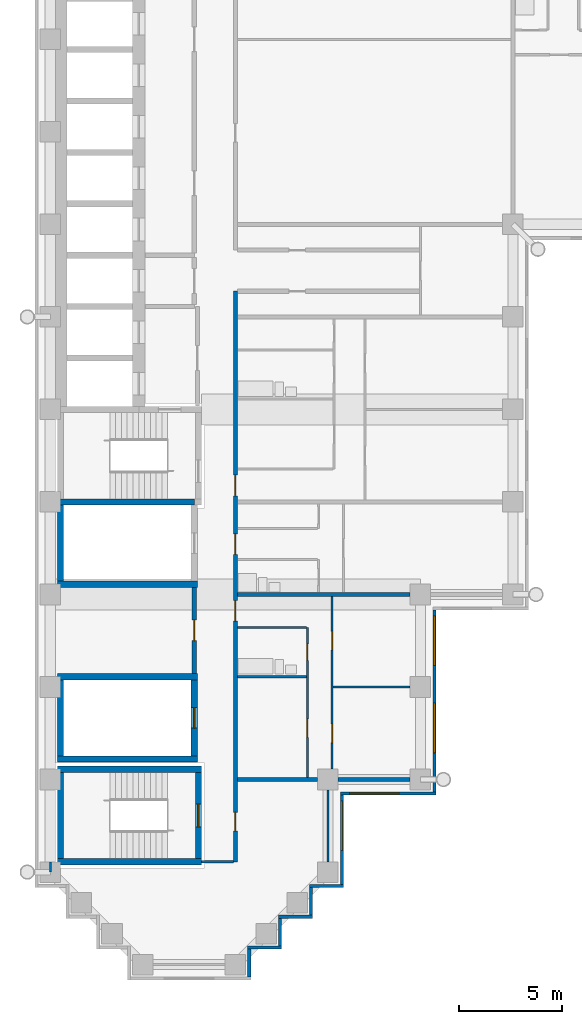
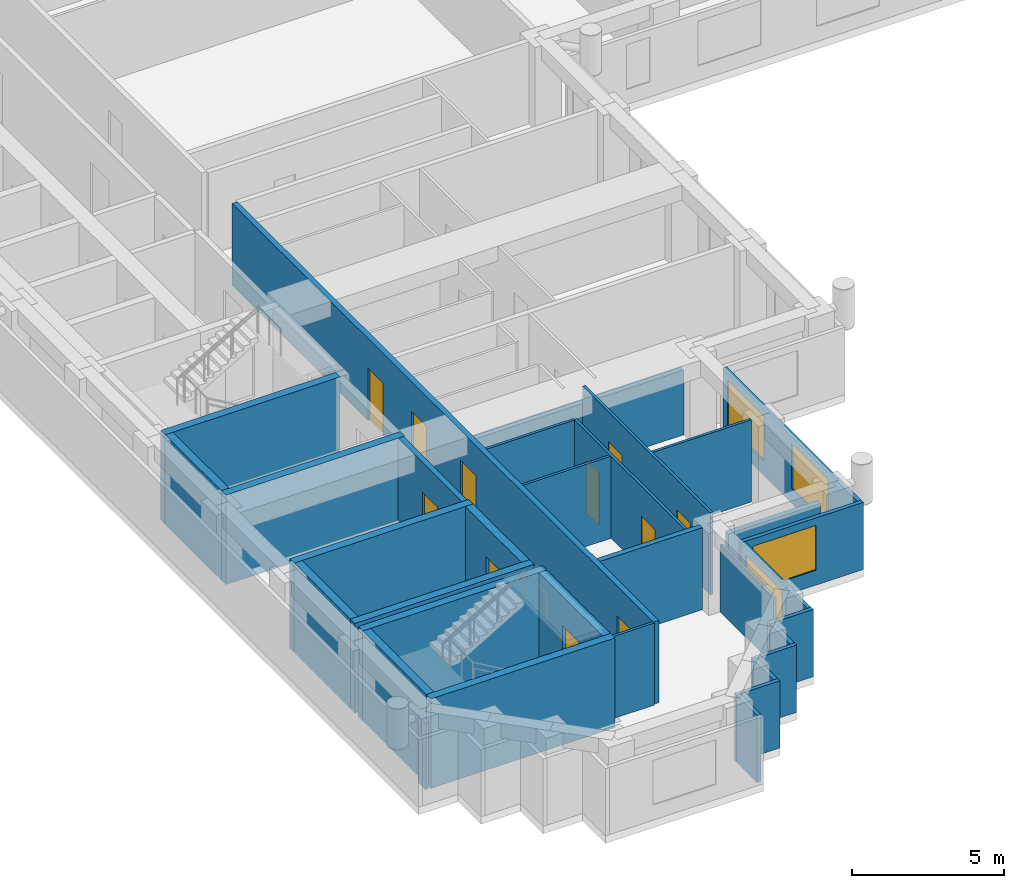
# One storey, part 5 of 15: 33 walls, 11 doors, 4 windows, 15 openings.
"""IFC4 building model written with IfcOpenShell, lengths in metres."""

from ifc_helpers import new_model, si_unit, direction, frame, frame_2d, origin, place, context, subcontext, project, spatial, rectangle, extrude, material, layer, layer_set, type_object, element, fill, save


model = new_model("IFC4")

# Units and contexts
model_context = context("Model", 3, precision=1e-05, world=origin(), true_north=direction((0.0, 1.0)))
body_context = subcontext(model_context, "Body", "Model", "MODEL_VIEW")
ifc_project = project(units=[si_unit("LENGTHUNIT", "METRE"), si_unit("AREAUNIT", "SQUARE_METRE"), si_unit("VOLUMEUNIT", "CUBIC_METRE"), si_unit("PLANEANGLEUNIT", "RADIAN"), si_unit("MASSUNIT", "GRAM", prefix="KILO")], contexts=[model_context])

# Site, building, storey
site_placement = place(None, origin())
site = spatial("IfcSite", under=ifc_project, at=site_placement, CompositionType="ELEMENT")
building_placement = place(site_placement, origin())
building = spatial("IfcBuilding", under=site, at=building_placement, Name="Firuza Court", CompositionType="ELEMENT")
storey_placement = place(building_placement, frame((0.0, 0.0, 137.60009765625)))
storey = spatial("IfcBuildingStorey", under=building, at=storey_placement, Name="L34", CompositionType="ELEMENT", Elevation=137.60009765625)

# Walls
ifc_material_1 = material(Name="Moisture-resistant gypsum board partition")
ifc_layer_1 = layer(ifc_material_1, 0.10009765625)
ifc_layer_set_1 = layer_set([ifc_layer_1], Name="Moisture-resistant gypsum board partition")
wall_type_1 = type_object("IfcWallType", Name="Bathroom partition 100", PredefinedType="PLUMBINGWALL", material=ifc_layer_set_1)
for number, where, z_axis, x_axis, name in (
    (1, (9.10009765625, 14.0, 0.0), (0.0, 0.0, 1.0), (1.0, 0.0, 0.0), "Bathroom partition 100 L34"),
    (2, (9.10009765625, 16.39990234375, 0.0), (0.0, 0.0, 1.0), (1.0, 0.0, 0.0), "Bathroom partition 100 L34"),
):
    element("IfcWall", number, at=place(storey_placement, frame(where, z_axis=z_axis, x_axis=x_axis)), inside=storey, type_object=wall_type_1, Name=name, PredefinedType="PLUMBINGWALL", context=body_context, shape_type="SweptSolid", body=[
        extrude(rectangle(XDim=3.349853515625, YDim=0.10009765625, at=frame_2d((1.6748046875, 0.0))), origin(), (0.0, 0.0, 1.0), 3.2998046875),
    ])
ifc_material_2 = material(Name="Concrete C60/75", Category="concrete")
ifc_layer_2 = layer(ifc_material_2, 0.300048828125)
ifc_layer_set_2 = layer_set([ifc_layer_2], Name="Concrete C60/75")
wall_type_2 = type_object("IfcWallType", Name="Core wall 300 C60/75", PredefinedType="SHEAR", material=ifc_layer_set_2)
for number, where, z_axis, x_axis, name in (
    (3, (0.35009765625, 5.0, -0.300048828125), (0.0, 0.0, 1.0), (1.0, 0.0, 0.0), "Core wall stair L34"),
    (4, (0.35009765625, 9.5, -0.300048828125), (0.0, 0.0, 1.0), (1.0, 0.0, 0.0), "Core wall stair L34"),
):
    element("IfcWall", number, at=place(storey_placement, frame(where, z_axis=z_axis, x_axis=x_axis)), inside=storey, type_object=wall_type_2, Name=name, PredefinedType="SHEAR", context=body_context, shape_type="SweptSolid", body=[
        extrude(rectangle(XDim=7.0, YDim=0.300048828125, at=frame_2d((3.5, 0.0))), origin(), (0.0, 0.0, 1.0), 3.599853515625),
    ])
for number, where, z_axis, x_axis, name in (
    (5, (0.35009765625, 10.0, -0.300048828125), (0.0, 0.0, 1.0), (1.0, 0.0, 0.0), "Core wall riser L34"),
    (6, (0.35009765625, 14.0, -0.300048828125), (0.0, 0.0, 1.0), (1.0, 0.0, 0.0), "Core wall riser L34"),
    (7, (0.35009765625, 18.5, -0.300048828125), (0.0, 0.0, 1.0), (1.0, 0.0, 0.0), "Core wall riser L34"),
):
    element("IfcWall", number, at=place(storey_placement, frame(where, z_axis=z_axis, x_axis=x_axis)), inside=storey, type_object=wall_type_2, Name=name, PredefinedType="SHEAR", context=body_context, shape_type="SweptSolid", body=[
        extrude(rectangle(XDim=6.7998046875, YDim=0.300048828125, at=frame_2d((3.39990234375, 0.0))), origin(), (0.0, 0.0, 1.0), 3.599853515625),
    ])
wall_1_placement = place(storey_placement, frame((0.35009765625, 22.5, -0.300048828125), z_axis=(0.0, 0.0, 1.0), x_axis=(1.0, 0.0, 0.0)))
element("IfcWall", 8, at=wall_1_placement, inside=storey, type_object=wall_type_2, Name="Core wall riser L34", PredefinedType="SHEAR", context=body_context, shape_type="SweptSolid", body=[
    extrude(rectangle(XDim=6.64990234375, YDim=0.300048828125, at=frame_2d((3.324951171875, 0.0))), origin(), (0.0, 0.0, 1.0), 3.599853515625),
])
wall_2_placement = place(storey_placement, frame((0.5, 5.14990234375, -0.300048828125), z_axis=(0.0, 0.0, 1.0), x_axis=(0.0, 1.0, 0.0)))
element("IfcWall", 9, at=wall_2_placement, inside=storey, type_object=wall_type_2, Name="Core wall stair L34", PredefinedType="SHEAR", context=body_context, shape_type="SweptSolid", body=[
    extrude(rectangle(XDim=4.2001953125, YDim=0.300048828125, at=frame_2d((2.10009765625, 0.0))), origin(), (0.0, 0.0, 1.0), 3.599853515625),
])
for number, where, z_axis, x_axis, name in (
    (10, (0.5, 10.14990234375, -0.300048828125), (0.0, 0.0, 1.0), (0.0, 1.0, 0.0), "Core wall riser L34"),
    (11, (0.5, 18.64990234375, -0.300048828125), (0.0, 0.0, 1.0), (0.0, 1.0, 0.0), "Core wall riser L34"),
):
    element("IfcWall", number, at=place(storey_placement, frame(where, z_axis=z_axis, x_axis=x_axis)), inside=storey, type_object=wall_type_2, Name=name, PredefinedType="SHEAR", context=body_context, shape_type="SweptSolid", body=[
        extrude(rectangle(XDim=3.7001953125, YDim=0.300048828125, at=frame_2d((1.85009765625, 0.0))), origin(), (0.0, 0.0, 1.0), 3.599853515625),
    ])

# Wall, opening, door
wall_3_placement = place(storey_placement, frame((7.0, 10.14990234375, -0.300048828125), z_axis=(0.0, 0.0, 1.0), x_axis=(0.0, 1.0, 0.0)))
wall_3 = element("IfcWall", 12, at=wall_3_placement, inside=storey, type_object=wall_type_2, Name="Core wall riser L34", PredefinedType="SHEAR", context=body_context, shape_type="SweptSolid", body=[
    extrude(rectangle(XDim=3.7001953125, YDim=0.300048828125, at=frame_2d((1.85009765625, 0.0))), origin(), (0.0, 0.0, 1.0), 3.599853515625),
])
opening_1_placement = place(wall_3_placement, frame((1.35009765625, 0.0, 0.300048828125)))
opening_1 = element("IfcOpeningElement", 13, at=opening_1_placement, cuts=wall_3, Name="Opening D34011", PredefinedType="OPENING", context=body_context, shape_type="SweptSolid", body=[
    extrude(rectangle(XDim=1.0, YDim=2.10009765625, at=frame_2d((0.5, 1.050048828125))), frame((0.0, 0.162109375, 0.0), z_axis=(0.0, -1.0, 0.0), x_axis=(1.0, 0.0, 0.0)), (0.0, 0.0, 1.0), 0.323974609375),
])
ifc_material_3 = material(Name="Timber door leaf in hardwood frame", Category="wood")
door_type_1 = type_object("IfcDoorType", Name="Riser door 1000", OperationType="SINGLE_SWING_LEFT", PredefinedType="DOOR", material=ifc_material_3)
door_1_placement = place(opening_1_placement, origin())
door_1 = element("IfcDoor", 14, at=door_1_placement, inside=storey, type_object=door_type_1, Name="Riser door R4", OperationType="SINGLE_SWING_LEFT", OverallHeight=2.10009765625, OverallWidth=1.0, PredefinedType="DOOR", context=body_context, shape_type="SweptSolid", body=[
    extrude(rectangle(XDim=1.0, YDim=2.10009765625, at=frame_2d((0.5, 1.050048828125))), frame((0.0, 0.02490234375, 0.0), z_axis=(0.0, -1.0, 0.0), x_axis=(1.0, 0.0, 0.0)), (0.0, 0.0, 1.0), 0.050048828125),
])
fill(opening_1, door_1)

wall_4_placement = place(storey_placement, frame((7.199951171875, 5.14990234375, -0.300048828125), z_axis=(0.0, 0.0, 1.0), x_axis=(0.0, 1.0, 0.0)))
wall_4 = element("IfcWall", 15, at=wall_4_placement, inside=storey, type_object=wall_type_2, Name="Core wall stair L34", PredefinedType="SHEAR", context=body_context, shape_type="SweptSolid", body=[
    extrude(rectangle(XDim=4.2001953125, YDim=0.300048828125, at=frame_2d((2.10009765625, 0.0))), origin(), (0.0, 0.0, 1.0), 3.599853515625),
])
opening_2_placement = place(wall_4_placement, frame((1.550048828125, 0.0, 0.300048828125)))
opening_2 = element("IfcOpeningElement", 16, at=opening_2_placement, cuts=wall_4, Name="Opening D34017", PredefinedType="OPENING", context=body_context, shape_type="SweptSolid", body=[
    extrude(rectangle(XDim=1.10009765625, YDim=2.10009765625, at=frame_2d((0.550048828125, 1.050048828125))), frame((0.0, 0.162109375, 0.0), z_axis=(0.0, -1.0, 0.0), x_axis=(1.0, 0.0, 0.0)), (0.0, 0.0, 1.0), 0.323974609375),
])
ifc_material_4 = material(Name="Timber door leaf in hardwood frame", Category="wood")
door_type_2 = type_object("IfcDoorType", Name="Stair door 1100", OperationType="SINGLE_SWING_LEFT", PredefinedType="DOOR", material=ifc_material_4)
door_2_placement = place(opening_2_placement, origin())
door_2 = element("IfcDoor", 17, at=door_2_placement, inside=storey, type_object=door_type_2, Name="Stair door S5", OperationType="SINGLE_SWING_LEFT", OverallHeight=2.10009765625, OverallWidth=1.10009765625, PredefinedType="DOOR", context=body_context, shape_type="SweptSolid", body=[
    extrude(rectangle(XDim=1.10009765625, YDim=2.10009765625, at=frame_2d((0.550048828125, 1.050048828125))), frame((0.0, 0.02490234375, 0.0), z_axis=(0.0, -1.0, 0.0), x_axis=(1.0, 0.0, 0.0)), (0.0, 0.0, 1.0), 0.050048828125),
])
fill(opening_2, door_2)

# Wall, openings, doors
ifc_material_5 = material(Name="Blockwork, plastered both sides", Category="masonry")
ifc_layer_3 = layer(ifc_material_5, 0.199951171875)
ifc_layer_set_3 = layer_set([ifc_layer_3], Name="Blockwork, plastered both sides")
wall_type_3 = type_object("IfcWallType", Name="Corridor wall 200", PredefinedType="PARTITIONING", material=ifc_layer_set_3)
wall_5_placement = place(storey_placement, frame((9.0, 5.0, 0.0), z_axis=(0.0, 0.0, 1.0), x_axis=(0.0, 1.0, 0.0)))
wall_5 = element("IfcWall", 18, at=wall_5_placement, inside=storey, type_object=wall_type_3, Name="Corridor wall 200 L34", PredefinedType="PARTITIONING", context=body_context, shape_type="SweptSolid", body=[
    extrude(rectangle(XDim=27.75, YDim=0.199951171875, at=frame_2d((13.875, 0.0))), origin(), (0.0, 0.0, 1.0), 3.2998046875),
])
opening_3_placement = place(wall_5_placement, frame((17.800048828125, 0.0, 0.0)))
opening_3 = element("IfcOpeningElement", 19, at=opening_3_placement, cuts=wall_5, Name="Opening D34018", PredefinedType="OPENING", context=body_context, shape_type="SweptSolid", body=[
    extrude(rectangle(XDim=1.0, YDim=2.10009765625, at=frame_2d((0.5, 1.050048828125))), frame((0.0, 0.11181640625, 0.0), z_axis=(0.0, -1.0, 0.0), x_axis=(1.0, 0.0, 0.0)), (0.0, 0.0, 1.0), 0.223876953125),
])
opening_4_placement = place(wall_5_placement, frame((14.949951171875, 0.0, 0.0)))
opening_4 = element("IfcOpeningElement", 20, at=opening_4_placement, cuts=wall_5, Name="Opening D34019", PredefinedType="OPENING", context=body_context, shape_type="SweptSolid", body=[
    extrude(rectangle(XDim=1.0, YDim=2.10009765625, at=frame_2d((0.5, 1.050048828125))), frame((0.0, 0.11181640625, 0.0), z_axis=(0.0, -1.0, 0.0), x_axis=(1.0, 0.0, 0.0)), (0.0, 0.0, 1.0), 0.223876953125),
])
opening_5_placement = place(wall_5_placement, frame((11.699951171875, 0.0, 0.0)))
opening_5 = element("IfcOpeningElement", 21, at=opening_5_placement, cuts=wall_5, Name="Opening D34020", PredefinedType="OPENING", context=body_context, shape_type="SweptSolid", body=[
    extrude(rectangle(XDim=1.0, YDim=2.10009765625, at=frame_2d((0.5, 1.050048828125))), frame((0.0, 0.11181640625, 0.0), z_axis=(0.0, -1.0, 0.0), x_axis=(1.0, 0.0, 0.0)), (0.0, 0.0, 1.0), 0.223876953125),
])
opening_6_placement = place(wall_5_placement, frame((1.5, 0.0, 0.0)))
opening_6 = element("IfcOpeningElement", 22, at=opening_6_placement, cuts=wall_5, Name="Opening D34021", PredefinedType="OPENING", context=body_context, shape_type="SweptSolid", body=[
    extrude(rectangle(XDim=0.89990234375, YDim=2.10009765625, at=frame_2d((0.449951171875, 1.050048828125))), frame((0.0, 0.11181640625, 0.0), z_axis=(0.0, -1.0, 0.0), x_axis=(1.0, 0.0, 0.0)), (0.0, 0.0, 1.0), 0.223876953125),
])
ifc_material_6 = material(Name="Timber door leaf in hardwood frame", Category="wood")
door_type_3 = type_object("IfcDoorType", Name="Flat entrance door 1000", OperationType="SINGLE_SWING_LEFT", PredefinedType="DOOR", material=ifc_material_6)
door_3_placement = place(opening_3_placement, origin())
door_3 = element("IfcDoor", 23, at=door_3_placement, inside=storey, type_object=door_type_3, Name="Flat entrance door", OperationType="SINGLE_SWING_LEFT", OverallHeight=2.10009765625, OverallWidth=1.0, PredefinedType="DOOR", context=body_context, shape_type="SweptSolid", body=[
    extrude(rectangle(XDim=1.0, YDim=2.10009765625, at=frame_2d((0.5, 1.050048828125))), frame((0.0, 0.02490234375, 0.0), z_axis=(0.0, -1.0, 0.0), x_axis=(1.0, 0.0, 0.0)), (0.0, 0.0, 1.0), 0.050048828125),
])
fill(opening_3, door_3)
door_4_placement = place(opening_4_placement, origin())
door_4 = element("IfcDoor", 24, at=door_4_placement, inside=storey, type_object=door_type_3, Name="Flat entrance door", OperationType="SINGLE_SWING_LEFT", OverallHeight=2.10009765625, OverallWidth=1.0, PredefinedType="DOOR", context=body_context, shape_type="SweptSolid", body=[
    extrude(rectangle(XDim=1.0, YDim=2.10009765625, at=frame_2d((0.5, 1.050048828125))), frame((0.0, 0.02490234375, 0.0), z_axis=(0.0, -1.0, 0.0), x_axis=(1.0, 0.0, 0.0)), (0.0, 0.0, 1.0), 0.050048828125),
])
fill(opening_4, door_4)
door_5_placement = place(opening_5_placement, origin())
door_5 = element("IfcDoor", 25, at=door_5_placement, inside=storey, type_object=door_type_3, Name="Flat entrance door", OperationType="SINGLE_SWING_LEFT", OverallHeight=2.10009765625, OverallWidth=1.0, PredefinedType="DOOR", context=body_context, shape_type="SweptSolid", body=[
    extrude(rectangle(XDim=1.0, YDim=2.10009765625, at=frame_2d((0.5, 1.050048828125))), frame((0.0, 0.02490234375, 0.0), z_axis=(0.0, -1.0, 0.0), x_axis=(1.0, 0.0, 0.0)), (0.0, 0.0, 1.0), 0.050048828125),
])
fill(opening_5, door_5)
ifc_material_7 = material(Name="Timber door leaf in hardwood frame", Category="wood")
door_type_4 = type_object("IfcDoorType", Name="Room door 900 EI 30", OperationType="SINGLE_SWING_LEFT", PredefinedType="DOOR", material=ifc_material_7)
door_6_placement = place(opening_6_placement, origin())
door_6 = element("IfcDoor", 26, at=door_6_placement, inside=storey, type_object=door_type_4, Name="Dining room door", OperationType="SINGLE_SWING_LEFT", OverallHeight=2.10009765625, OverallWidth=0.89990234375, PredefinedType="DOOR", context=body_context, shape_type="SweptSolid", body=[
    extrude(rectangle(XDim=0.89990234375, YDim=2.10009765625, at=frame_2d((0.449951171875, 1.050048828125))), frame((0.0, 0.02490234375, 0.0), z_axis=(0.0, -1.0, 0.0), x_axis=(1.0, 0.0, 0.0)), (0.0, 0.0, 1.0), 0.050048828125),
])
fill(opening_6, door_6)

# Wall, opening, door
wall_6_placement = place(storey_placement, frame((7.0, 14.14990234375, 0.0), z_axis=(0.0, 0.0, 1.0), x_axis=(0.0, 1.0, 0.0)))
wall_6 = element("IfcWall", 27, at=wall_6_placement, inside=storey, type_object=wall_type_3, Name="Corridor wall 200 L34", PredefinedType="PARTITIONING", context=body_context, shape_type="SweptSolid", body=[
    extrude(rectangle(XDim=4.2001953125, YDim=0.199951171875, at=frame_2d((2.10009765625, 0.0))), origin(), (0.0, 0.0, 1.0), 3.2998046875),
])
opening_7_placement = place(wall_6_placement, frame((1.60009765625, 0.0, 0.0)))
opening_7 = element("IfcOpeningElement", 28, at=opening_7_placement, cuts=wall_6, Name="Opening D34026", PredefinedType="OPENING", context=body_context, shape_type="SweptSolid", body=[
    extrude(rectangle(XDim=1.0, YDim=2.10009765625, at=frame_2d((0.5, 1.050048828125))), frame((0.0, 0.11181640625, 0.0), z_axis=(0.0, -1.0, 0.0), x_axis=(1.0, 0.0, 0.0)), (0.0, 0.0, 1.0), 0.223876953125),
])
ifc_material_8 = material(Name="Timber door leaf in hardwood frame", Category="wood")
door_type_5 = type_object("IfcDoorType", Name="Store door 1000", OperationType="SINGLE_SWING_LEFT", PredefinedType="DOOR", material=ifc_material_8)
door_7_placement = place(opening_7_placement, origin())
door_7 = element("IfcDoor", 29, at=door_7_placement, inside=storey, type_object=door_type_5, Name="Electrical room door", OperationType="SINGLE_SWING_LEFT", OverallHeight=2.10009765625, OverallWidth=1.0, PredefinedType="DOOR", context=body_context, shape_type="SweptSolid", body=[
    extrude(rectangle(XDim=1.0, YDim=2.10009765625, at=frame_2d((0.5, 1.050048828125))), frame((0.0, 0.02490234375, 0.0), z_axis=(0.0, -1.0, 0.0), x_axis=(1.0, 0.0, 0.0)), (0.0, 0.0, 1.0), 0.050048828125),
])
fill(opening_7, door_7)

# Walls
ifc_material_9 = material(Name="Timber stud partition, plasterboard both sides", Category="wood")
ifc_layer_4 = layer(ifc_material_9, 0.10009765625)
ifc_layer_set_4 = layer_set([ifc_layer_4], Name="Timber stud partition, plasterboard both sides")
wall_type_4 = type_object("IfcWallType", Name="Partition wall 100", PredefinedType="PARTITIONING", material=ifc_layer_set_4)
wall_7_placement = place(storey_placement, frame((0.0, 4.5, 0.0), z_axis=(0.0, 0.0, 1.0), x_axis=(0.0, 1.0, 0.0)))
element("IfcWall", 30, at=wall_7_placement, inside=storey, type_object=wall_type_4, Name="Partition wall 100 L34", PredefinedType="PARTITIONING", context=body_context, shape_type="SweptSolid", body=[
    extrude(rectangle(XDim=0.5, YDim=0.10009765625, at=frame_2d((0.25, 0.0))), origin(), (0.0, 0.0, 1.0), 2.699951171875),
])
wall_8_placement = place(storey_placement, frame((7.34912109375, 5.0, 0.0), z_axis=(0.0, 0.0, 1.0), x_axis=(1.0, 0.0, 0.0)))
element("IfcWall", 31, at=wall_8_placement, inside=storey, type_object=wall_type_4, Name="Partition wall 100 L34", PredefinedType="PARTITIONING", context=body_context, shape_type="SweptSolid", body=[
    extrude(rectangle(XDim=1.55078125, YDim=0.10009765625, at=frame_2d((0.775390625, 0.0))), origin(), (0.0, 0.0, 1.0), 3.2998046875),
])
wall_9_placement = place(storey_placement, frame((13.5, 5.0, 0.0), z_axis=(0.0, 0.0, 1.0), x_axis=(0.0, 1.0, 0.0)))
element("IfcWall", 32, at=wall_9_placement, inside=storey, type_object=wall_type_4, Name="Partition wall 100 L34", PredefinedType="PARTITIONING", context=body_context, shape_type="SweptSolid", body=[
    extrude(rectangle(XDim=3.5, YDim=0.10009765625, at=frame_2d((1.75, 0.0))), origin(), (0.0, 0.0, 1.0), 2.699951171875),
])

# Wall, openings, doors
wall_10_placement = place(storey_placement, frame((12.5, 9.10009765625, 0.0), z_axis=(0.0, 0.0, 1.0), x_axis=(0.0, 1.0, 0.0)))
wall_10 = element("IfcWall", 33, at=wall_10_placement, inside=storey, type_object=wall_type_4, Name="Partition wall 100 L34", PredefinedType="PARTITIONING", context=body_context, shape_type="SweptSolid", body=[
    extrude(rectangle(XDim=7.2998046875, YDim=0.10009765625, at=frame_2d((3.64990234375, 0.0))), origin(), (0.0, 0.0, 1.0), 3.2998046875),
])
opening_8_placement = place(wall_10_placement, frame((5.699951171875, 0.0, 0.0)))
opening_8 = element("IfcOpeningElement", 34, at=opening_8_placement, cuts=wall_10, Name="Opening D34022", PredefinedType="OPENING", context=body_context, shape_type="SweptSolid", body=[
    extrude(rectangle(XDim=0.800048828125, YDim=2.10009765625, at=frame_2d((0.39990234375, 1.050048828125))), frame((0.0, 0.06201171875, 0.0), z_axis=(0.0, -1.0, 0.0), x_axis=(1.0, 0.0, 0.0)), (0.0, 0.0, 1.0), 0.1240234375),
])
opening_9_placement = place(wall_10_placement, frame((1.949951171875, 0.0, 0.0)))
opening_9 = element("IfcOpeningElement", 35, at=opening_9_placement, cuts=wall_10, Name="Opening D34023", PredefinedType="OPENING", context=body_context, shape_type="SweptSolid", body=[
    extrude(rectangle(XDim=0.89990234375, YDim=2.10009765625, at=frame_2d((0.449951171875, 1.050048828125))), frame((0.0, 0.06201171875, 0.0), z_axis=(0.0, -1.0, 0.0), x_axis=(1.0, 0.0, 0.0)), (0.0, 0.0, 1.0), 0.1240234375),
])
ifc_material_10 = material(Name="Timber door leaf in hardwood frame", Category="wood")
door_type_6 = type_object("IfcDoorType", Name="Bathroom door 800", OperationType="SINGLE_SWING_LEFT", PredefinedType="DOOR", material=ifc_material_10)
door_8_placement = place(opening_8_placement, origin())
door_8 = element("IfcDoor", 36, at=door_8_placement, inside=storey, type_object=door_type_6, Name="Bathroom door", OperationType="SINGLE_SWING_LEFT", OverallHeight=2.10009765625, OverallWidth=0.800048828125, PredefinedType="DOOR", context=body_context, shape_type="SweptSolid", body=[
    extrude(rectangle(XDim=0.800048828125, YDim=2.10009765625, at=frame_2d((0.39990234375, 1.050048828125))), frame((0.0, 0.02490234375, 0.0), z_axis=(0.0, -1.0, 0.0), x_axis=(1.0, 0.0, 0.0)), (0.0, 0.0, 1.0), 0.050048828125),
])
fill(opening_8, door_8)
ifc_material_11 = material(Name="Timber door leaf in hardwood frame", Category="wood")
door_type_7 = type_object("IfcDoorType", Name="Room door 900", OperationType="SINGLE_SWING_LEFT", PredefinedType="DOOR", material=ifc_material_11)
door_9_placement = place(opening_9_placement, origin())
door_9 = element("IfcDoor", 37, at=door_9_placement, inside=storey, type_object=door_type_7, Name="Kitchen door", OperationType="SINGLE_SWING_LEFT", OverallHeight=2.10009765625, OverallWidth=0.89990234375, PredefinedType="DOOR", context=body_context, shape_type="SweptSolid", body=[
    extrude(rectangle(XDim=0.89990234375, YDim=2.10009765625, at=frame_2d((0.449951171875, 1.050048828125))), frame((0.0, 0.02490234375, 0.0), z_axis=(0.0, -1.0, 0.0), x_axis=(1.0, 0.0, 0.0)), (0.0, 0.0, 1.0), 0.050048828125),
])
fill(opening_9, door_9)

wall_11_placement = place(storey_placement, frame((13.699951171875, 9.5, 0.0), z_axis=(0.0, 0.0, 1.0), x_axis=(0.0, 1.0, 0.0)))
wall_11 = element("IfcWall", 38, at=wall_11_placement, inside=storey, type_object=wall_type_4, Name="Partition wall 100 L34", PredefinedType="PARTITIONING", context=body_context, shape_type="SweptSolid", body=[
    extrude(rectangle(XDim=8.39990234375, YDim=0.10009765625, at=frame_2d((4.199951171875, 0.0))), origin(), (0.0, 0.0, 1.0), 3.2998046875),
])
opening_10_placement = place(wall_11_placement, frame((1.300048828125, 0.0, 0.0)))
opening_10 = element("IfcOpeningElement", 39, at=opening_10_placement, cuts=wall_11, Name="Opening D34024", PredefinedType="OPENING", context=body_context, shape_type="SweptSolid", body=[
    extrude(rectangle(XDim=0.89990234375, YDim=2.10009765625, at=frame_2d((0.449951171875, 1.050048828125))), frame((0.0, 0.06201171875, 0.0), z_axis=(0.0, -1.0, 0.0), x_axis=(1.0, 0.0, 0.0)), (0.0, 0.0, 1.0), 0.1240234375),
])
opening_11_placement = place(wall_11_placement, frame((5.800048828125, 0.0, 0.0)))
opening_11 = element("IfcOpeningElement", 40, at=opening_11_placement, cuts=wall_11, Name="Opening D34025", PredefinedType="OPENING", context=body_context, shape_type="SweptSolid", body=[
    extrude(rectangle(XDim=0.89990234375, YDim=2.10009765625, at=frame_2d((0.449951171875, 1.050048828125))), frame((0.0, 0.06201171875, 0.0), z_axis=(0.0, -1.0, 0.0), x_axis=(1.0, 0.0, 0.0)), (0.0, 0.0, 1.0), 0.1240234375),
])
door_10_placement = place(opening_10_placement, frame((0.89990234375, 0.0, 0.0), z_axis=(0.0, 0.0, 1.0), x_axis=(-1.0, 0.0, 0.0)))
door_10 = element("IfcDoor", 41, at=door_10_placement, inside=storey, type_object=door_type_7, Name="Bedroom door", OperationType="SINGLE_SWING_RIGHT", OverallHeight=2.10009765625, OverallWidth=0.89990234375, PredefinedType="DOOR", context=body_context, shape_type="SweptSolid", body=[
    extrude(rectangle(XDim=0.89990234375, YDim=2.10009765625, at=frame_2d((0.449951171875, 1.050048828125))), frame((0.0, 0.02490234375, 0.0), z_axis=(0.0, -1.0, 0.0), x_axis=(1.0, 0.0, 0.0)), (0.0, 0.0, 1.0), 0.050048828125),
])
fill(opening_10, door_10)
door_11_placement = place(opening_11_placement, frame((0.89990234375, 0.0, 0.0), z_axis=(0.0, 0.0, 1.0), x_axis=(-1.0, 0.0, 0.0)))
door_11 = element("IfcDoor", 42, at=door_11_placement, inside=storey, type_object=door_type_7, Name="Living room door", OperationType="SINGLE_SWING_RIGHT", OverallHeight=2.10009765625, OverallWidth=0.89990234375, PredefinedType="DOOR", context=body_context, shape_type="SweptSolid", body=[
    extrude(rectangle(XDim=0.89990234375, YDim=2.10009765625, at=frame_2d((0.449951171875, 1.050048828125))), frame((0.0, 0.02490234375, 0.0), z_axis=(0.0, -1.0, 0.0), x_axis=(1.0, 0.0, 0.0)), (0.0, 0.0, 1.0), 0.050048828125),
])
fill(opening_11, door_11)

# Walls
wall_12_placement = place(storey_placement, frame((13.75, 13.5, 0.0), z_axis=(0.0, 0.0, 1.0), x_axis=(1.0, 0.0, 0.0)))
element("IfcWall", 43, at=wall_12_placement, inside=storey, type_object=wall_type_4, Name="Partition wall 100 L34", PredefinedType="PARTITIONING", context=body_context, shape_type="SweptSolid", body=[
    extrude(rectangle(XDim=3.75, YDim=0.10009765625, at=frame_2d((1.875, 0.0))), origin(), (0.0, 0.0, 1.0), 3.2998046875),
])
ifc_layer_5 = layer(ifc_material_5, 0.199951171875)
ifc_layer_set_5 = layer_set([ifc_layer_5], Name="Blockwork, plastered both sides")
wall_type_5 = type_object("IfcWallType", Name="Party wall 200", PredefinedType="PARTITIONING", material=ifc_layer_set_5)
wall_13_placement = place(storey_placement, frame((9.10009765625, 9.0, 0.0), z_axis=(0.0, 0.0, 1.0), x_axis=(1.0, 0.0, 0.0)))
element("IfcWall", 44, at=wall_13_placement, inside=storey, type_object=wall_type_5, Name="Party wall 200 L34", PredefinedType="PARTITIONING", context=body_context, shape_type="SweptSolid", body=[
    extrude(rectangle(XDim=3.89990234375, YDim=0.199951171875, at=frame_2d((1.949951171875, 0.0))), origin(), (0.0, 0.0, 1.0), 3.2998046875),
])
wall_14_placement = place(storey_placement, frame((14.0, 9.0, 0.0), z_axis=(0.0, 0.0, 1.0), x_axis=(1.0, 0.0, 0.0)))
element("IfcWall", 45, at=wall_14_placement, inside=storey, type_object=wall_type_5, Name="Party wall 200 L34", PredefinedType="PARTITIONING", context=body_context, shape_type="SweptSolid", body=[
    extrude(rectangle(XDim=3.5, YDim=0.199951171875, at=frame_2d((1.75, 0.0))), origin(), (0.0, 0.0, 1.0), 2.699951171875),
])
wall_15_placement = place(storey_placement, frame((9.10009765625, 18.0, 0.0), z_axis=(0.0, 0.0, 1.0), x_axis=(1.0, 0.0, 0.0)))
element("IfcWall", 46, at=wall_15_placement, inside=storey, type_object=wall_type_5, Name="Party wall 200 L34", PredefinedType="PARTITIONING", context=body_context, shape_type="SweptSolid", body=[
    extrude(rectangle(XDim=8.39990234375, YDim=0.199951171875, at=frame_2d((4.199951171875, 0.0))), origin(), (0.0, 0.0, 1.0), 2.599853515625),
])
ifc_material_12 = material(Name="Ceramic tile", Category="ceramic")
ifc_layer_6 = layer(ifc_material_12, 0.02001953125)
ifc_material_13 = material(Name="Mineral wool insulation", Category="insulation")
ifc_layer_7 = layer(ifc_material_13, 0.050048828125)
ifc_material_14 = material(Name="Concrete C40/50 precast", Category="concrete")
ifc_layer_8 = layer(ifc_material_14, 0.080078125)
ifc_layer_set_6 = layer_set([ifc_layer_6, ifc_layer_7, ifc_layer_8], Name="Concrete C40/50 precast")
wall_type_6 = type_object("IfcWallType", Name="Precast cladding wall with turquoise TILE PANEL face 150", PredefinedType="STANDARD", material=ifc_layer_set_6)
wall_16_placement = place(storey_placement, frame((9.675048828125, -0.60009765625, 0.0), z_axis=(0.0, 0.0, 1.0), x_axis=(0.0, 1.0, 0.0)))
element("IfcWall", 47, at=wall_16_placement, inside=storey, type_object=wall_type_6, Name="Facade wall L34 E", PredefinedType="STANDARD", context=body_context, shape_type="SweptSolid", body=[
    extrude(rectangle(XDim=1.35009765625, YDim=0.14990234375, at=frame_2d((0.675048828125, 0.0))), origin(), (0.0, 0.0, 1.0), 2.699951171875),
])
wall_17_placement = place(storey_placement, frame((9.60009765625, 0.824951171875, 0.0), z_axis=(0.0, 0.0, 1.0), x_axis=(1.0, 0.0, 0.0)))
element("IfcWall", 48, at=wall_17_placement, inside=storey, type_object=wall_type_6, Name="Facade wall L34 S", PredefinedType="STANDARD", context=body_context, shape_type="SweptSolid", body=[
    extrude(rectangle(XDim=1.64990234375, YDim=0.14990234375, at=frame_2d((0.824951171875, 0.0))), origin(), (0.0, 0.0, 1.0), 2.699951171875),
])
wall_18_placement = place(storey_placement, frame((11.175048828125, 0.89990234375, 0.0), z_axis=(0.0, 0.0, 1.0), x_axis=(0.0, 1.0, 0.0)))
element("IfcWall", 49, at=wall_18_placement, inside=storey, type_object=wall_type_6, Name="Facade wall L34 E", PredefinedType="STANDARD", context=body_context, shape_type="SweptSolid", body=[
    extrude(rectangle(XDim=1.35009765625, YDim=0.14990234375, at=frame_2d((0.675048828125, 0.0))), origin(), (0.0, 0.0, 1.0), 2.699951171875),
])
wall_19_placement = place(storey_placement, frame((11.10009765625, 2.324951171875, 0.0), z_axis=(0.0, 0.0, 1.0), x_axis=(1.0, 0.0, 0.0)))
element("IfcWall", 50, at=wall_19_placement, inside=storey, type_object=wall_type_6, Name="Facade wall L34 S", PredefinedType="STANDARD", context=body_context, shape_type="SweptSolid", body=[
    extrude(rectangle(XDim=1.64990234375, YDim=0.14990234375, at=frame_2d((0.824951171875, 0.0))), origin(), (0.0, 0.0, 1.0), 2.699951171875),
])
wall_20_placement = place(storey_placement, frame((12.675048828125, 2.39990234375, 0.0), z_axis=(0.0, 0.0, 1.0), x_axis=(0.0, 1.0, 0.0)))
element("IfcWall", 51, at=wall_20_placement, inside=storey, type_object=wall_type_6, Name="Facade wall L34 E", PredefinedType="STANDARD", context=body_context, shape_type="SweptSolid", body=[
    extrude(rectangle(XDim=1.35009765625, YDim=0.14990234375, at=frame_2d((0.675048828125, 0.0))), origin(), (0.0, 0.0, 1.0), 2.699951171875),
])
wall_21_placement = place(storey_placement, frame((12.60009765625, 3.824951171875, 0.0), z_axis=(0.0, 0.0, 1.0), x_axis=(1.0, 0.0, 0.0)))
element("IfcWall", 52, at=wall_21_placement, inside=storey, type_object=wall_type_6, Name="Facade wall L34 S", PredefinedType="STANDARD", context=body_context, shape_type="SweptSolid", body=[
    extrude(rectangle(XDim=1.64990234375, YDim=0.14990234375, at=frame_2d((0.824951171875, 0.0))), origin(), (0.0, 0.0, 1.0), 2.699951171875),
])

# Wall, opening, window
wall_22_placement = place(storey_placement, frame((14.175048828125, 3.89990234375, 0.0), z_axis=(0.0, 0.0, 1.0), x_axis=(0.0, 1.0, 0.0)))
wall_22 = element("IfcWall", 53, at=wall_22_placement, inside=storey, type_object=wall_type_6, Name="Facade wall L34 E", PredefinedType="STANDARD", context=body_context, shape_type="SweptSolid", body=[
    extrude(rectangle(XDim=4.35009765625, YDim=0.14990234375, at=frame_2d((2.175048828125, 0.0))), origin(), (0.0, 0.0, 1.0), 2.699951171875),
])
opening_12_placement = place(wall_22_placement, frame((1.64990234375, 0.0, 0.60009765625)))
opening_12 = element("IfcOpeningElement", 54, at=opening_12_placement, cuts=wall_22, Name="Opening W1", PredefinedType="OPENING", context=body_context, shape_type="SweptSolid", body=[
    extrude(rectangle(XDim=2.39990234375, YDim=1.800048828125, at=frame_2d((1.199951171875, 0.89990234375))), frame((0.0, 0.0869140625, 0.0), z_axis=(0.0, -1.0, 0.0), x_axis=(1.0, 0.0, 0.0)), (0.0, 0.0, 1.0), 0.173828125),
])
ifc_material_15 = material(Name="Aluminium frame, triple clear glazing", Category="aluminium")
window_type = type_object("IfcWindowType", Name="Window W1 2400 x 1800", PartitioningType="SINGLE_PANEL", PredefinedType="WINDOW", material=ifc_material_15)
window_1_placement = place(opening_12_placement, origin())
window_1 = element("IfcWindow", 55, at=window_1_placement, inside=storey, type_object=window_type, Name="Window L34", OverallHeight=1.800048828125, OverallWidth=2.39990234375, PartitioningType="SINGLE_PANEL", PredefinedType="WINDOW", context=body_context, shape_type="SweptSolid", body=[
    extrude(rectangle(XDim=2.39990234375, YDim=1.800048828125, at=frame_2d((1.199951171875, 0.89990234375))), frame((0.0, 0.030029296875, 0.0), z_axis=(0.0, -1.0, 0.0), x_axis=(1.0, 0.0, 0.0)), (0.0, 0.0, 1.0), 0.06005859375),
])
fill(opening_12, window_1)

wall_23_placement = place(storey_placement, frame((14.10009765625, 8.324951171875, 0.0), z_axis=(0.0, 0.0, 1.0), x_axis=(1.0, 0.0, 0.0)))
wall_23 = element("IfcWall", 56, at=wall_23_placement, inside=storey, type_object=wall_type_6, Name="Facade wall L34 S", PredefinedType="STANDARD", context=body_context, shape_type="SweptSolid", body=[
    extrude(rectangle(XDim=4.64990234375, YDim=0.14990234375, at=frame_2d((2.324951171875, 0.0))), origin(), (0.0, 0.0, 1.0), 2.699951171875),
])
opening_13_placement = place(wall_23_placement, frame((0.449951171875, 0.0, 0.60009765625)))
opening_13 = element("IfcOpeningElement", 57, at=opening_13_placement, cuts=wall_23, Name="Opening W1", PredefinedType="OPENING", context=body_context, shape_type="SweptSolid", body=[
    extrude(rectangle(XDim=2.39990234375, YDim=1.800048828125, at=frame_2d((1.199951171875, 0.89990234375))), frame((0.0, 0.0869140625, 0.0), z_axis=(0.0, -1.0, 0.0), x_axis=(1.0, 0.0, 0.0)), (0.0, 0.0, 1.0), 0.173828125),
])
window_2_placement = place(opening_13_placement, origin())
window_2 = element("IfcWindow", 58, at=window_2_placement, inside=storey, type_object=window_type, Name="Window L34", OverallHeight=1.800048828125, OverallWidth=2.39990234375, PartitioningType="SINGLE_PANEL", PredefinedType="WINDOW", context=body_context, shape_type="SweptSolid", body=[
    extrude(rectangle(XDim=2.39990234375, YDim=1.800048828125, at=frame_2d((1.199951171875, 0.89990234375))), frame((0.0, 0.030029296875, 0.0), z_axis=(0.0, -1.0, 0.0), x_axis=(1.0, 0.0, 0.0)), (0.0, 0.0, 1.0), 0.06005859375),
])
fill(opening_13, window_2)

# Wall, openings, windows
wall_24_placement = place(storey_placement, frame((18.675048828125, 8.39990234375, 0.0), z_axis=(0.0, 0.0, 1.0), x_axis=(0.0, 1.0, 0.0)))
wall_24 = element("IfcWall", 59, at=wall_24_placement, inside=storey, type_object=wall_type_6, Name="Facade wall L34 E", PredefinedType="STANDARD", context=body_context, shape_type="SweptSolid", body=[
    extrude(rectangle(XDim=8.85009765625, YDim=0.14990234375, at=frame_2d((4.425048828125, 0.0))), origin(), (0.0, 0.0, 1.0), 2.699951171875),
])
opening_14_placement = place(wall_24_placement, frame((1.91357421875, 0.0, 0.60009765625)))
opening_14 = element("IfcOpeningElement", 60, at=opening_14_placement, cuts=wall_24, Name="Opening W1", PredefinedType="OPENING", context=body_context, shape_type="SweptSolid", body=[
    extrude(rectangle(XDim=2.39990234375, YDim=1.800048828125, at=frame_2d((1.199951171875, 0.89990234375))), frame((0.0, 0.0869140625, 0.0), z_axis=(0.0, -1.0, 0.0), x_axis=(1.0, 0.0, 0.0)), (0.0, 0.0, 1.0), 0.173828125),
])
opening_15_placement = place(wall_24_placement, frame((6.14990234375, 0.0, 0.60009765625)))
opening_15 = element("IfcOpeningElement", 61, at=opening_15_placement, cuts=wall_24, Name="Opening W1", PredefinedType="OPENING", context=body_context, shape_type="SweptSolid", body=[
    extrude(rectangle(XDim=2.39990234375, YDim=1.800048828125, at=frame_2d((1.199951171875, 0.89990234375))), frame((0.0, 0.0869140625, 0.0), z_axis=(0.0, -1.0, 0.0), x_axis=(1.0, 0.0, 0.0)), (0.0, 0.0, 1.0), 0.173828125),
])
window_3_placement = place(opening_14_placement, origin())
window_3 = element("IfcWindow", 62, at=window_3_placement, inside=storey, type_object=window_type, Name="Window L34", OverallHeight=1.800048828125, OverallWidth=2.39990234375, PartitioningType="SINGLE_PANEL", PredefinedType="WINDOW", context=body_context, shape_type="SweptSolid", body=[
    extrude(rectangle(XDim=2.39990234375, YDim=1.800048828125, at=frame_2d((1.199951171875, 0.89990234375))), frame((0.0, 0.030029296875, 0.0), z_axis=(0.0, -1.0, 0.0), x_axis=(1.0, 0.0, 0.0)), (0.0, 0.0, 1.0), 0.06005859375),
])
fill(opening_14, window_3)
window_4_placement = place(opening_15_placement, origin())
window_4 = element("IfcWindow", 63, at=window_4_placement, inside=storey, type_object=window_type, Name="Window L34", OverallHeight=1.800048828125, OverallWidth=2.39990234375, PartitioningType="SINGLE_PANEL", PredefinedType="WINDOW", context=body_context, shape_type="SweptSolid", body=[
    extrude(rectangle(XDim=2.39990234375, YDim=1.800048828125, at=frame_2d((1.199951171875, 0.89990234375))), frame((0.0, 0.030029296875, 0.0), z_axis=(0.0, -1.0, 0.0), x_axis=(1.0, 0.0, 0.0)), (0.0, 0.0, 1.0), 0.06005859375),
])
fill(opening_15, window_4)

save(model, "model.ifc")
